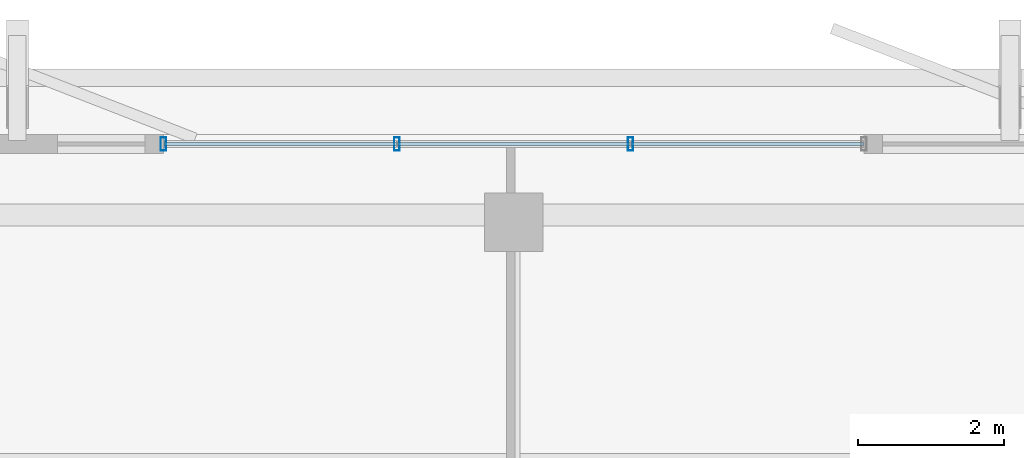
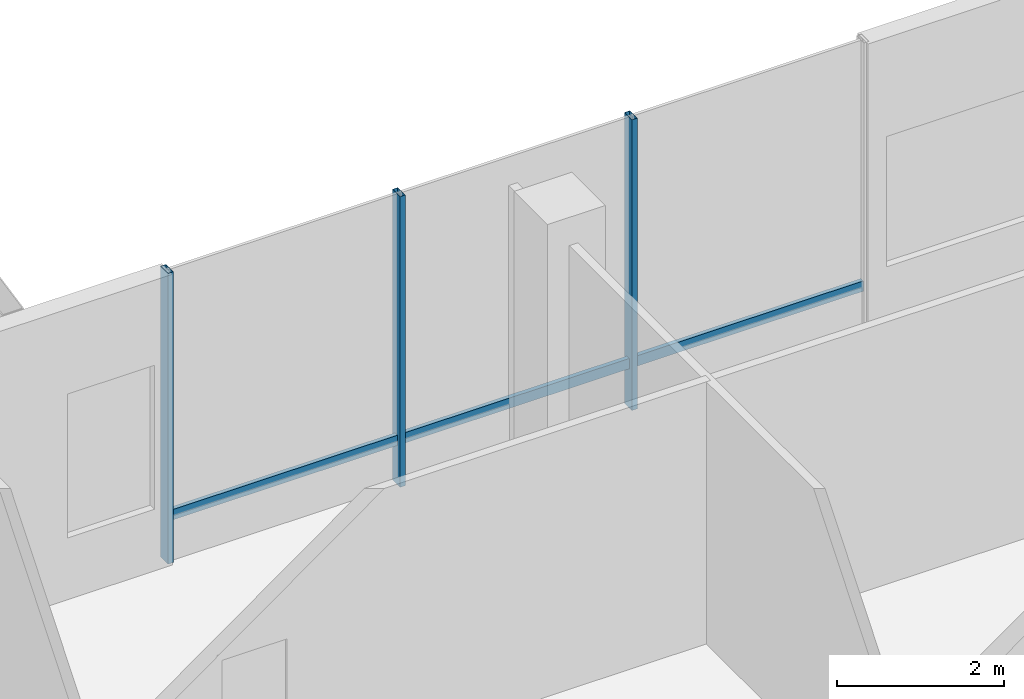
# One storey, part 10 of 17: 6 members, 1 element without a shape of its own.
"""IFC4 building model written with IfcOpenShell, lengths in metres."""

from ifc_helpers import new_model, si_unit, direction, frame, origin, origin_2d, place, context, subcontext, project, spatial, hollow_rectangle, extrude, material, layer, layer_set, material_profile, profile_set, type_object, element, aggregate, save


model = new_model("IFC4")

# Units and contexts
model_context = context("Model", 3, precision=1e-05, world=origin(), true_north=direction((0.0, 1.0)))
body_context = subcontext(model_context, "Body", "Model", "MODEL_VIEW")
ifc_project = project(units=[si_unit("LENGTHUNIT", "METRE"), si_unit("AREAUNIT", "SQUARE_METRE"), si_unit("VOLUMEUNIT", "CUBIC_METRE"), si_unit("PLANEANGLEUNIT", "RADIAN"), si_unit("MASSUNIT", "GRAM", prefix="KILO")], contexts=[model_context])

# Site, building, storey
site_placement = place(None, origin())
site = spatial("IfcSite", under=ifc_project, at=site_placement, CompositionType="ELEMENT")
building_placement = place(site_placement, origin())
building = spatial("IfcBuilding", under=site, at=building_placement, Name="Belovzor Exchange Tower", CompositionType="ELEMENT")
storey_placement = place(building_placement, frame((0.0, 0.0, 355.5)))
storey = spatial("IfcBuildingStorey", under=building, at=storey_placement, Name="L89", CompositionType="ELEMENT", Elevation=355.5)

# Curtain wall, members
ifc_material_1 = material(Name="Anodised Aluminium Framing", Category="aluminium")
ifc_layer = layer(ifc_material_1, 0.169921875)
ifc_layer_set = layer_set([ifc_layer], Name="Anodised Aluminium Framing")
curtain_wall_type = type_object("IfcCurtainWallType", Name="Stepped Crown Faceted Lantern Curtain Wall", PredefinedType="NOTDEFINED", material=ifc_layer_set)
curtain_wall_placement = place(storey_placement, origin())
curtain_wall = element("IfcCurtainWall", 1, at=curtain_wall_placement, inside=storey, type_object=curtain_wall_type, Name="CW6 Stepped Crown Faceted Lantern Curtain Wall L89", PredefinedType="NOTDEFINED")
ifc_material_2 = material(Name="Steel S355", Category="steel")
ifc_material_profile_1 = material_profile(ifc_material_2, hollow_rectangle(XDim=0.074951171875, YDim=0.179931640625, WallThickness=0.0048828125, at=origin_2d()))
ifc_profile_set_1 = profile_set([ifc_material_profile_1], Name="Steel S355")
member_type_1 = type_object("IfcMemberType", Name="Thermally Broken Curtain Wall Mullion 180x75", PredefinedType="MULLION", material=ifc_profile_set_1)
member_1_placement = place(storey_placement, frame((24.0, 49.070068359375, 0.0), z_axis=(0.0, 0.0, 1.0), x_axis=(1.0, 0.0, 0.0)))
member_1 = element("IfcMember", 2, at=member_1_placement, type_object=member_type_1, Name="CW-M180 Curtain Wall Mullion 1", PredefinedType="MULLION", context=body_context, shape_type="SweptSolid", body=[
    extrude(hollow_rectangle(XDim=0.074951171875, YDim=0.179931640625, WallThickness=0.0048828125, at=origin_2d()), origin(), (0.0, 0.0, 1.0), 4.239990234375),
])
member_2_placement = place(storey_placement, frame((27.199951171875, 49.070068359375, 0.0), z_axis=(0.0, 0.0, 1.0), x_axis=(1.0, 0.0, 0.0)))
member_2 = element("IfcMember", 3, at=member_2_placement, type_object=member_type_1, Name="CW-M180 Curtain Wall Mullion 2", PredefinedType="MULLION", context=body_context, shape_type="SweptSolid", body=[
    extrude(hollow_rectangle(XDim=0.074951171875, YDim=0.179931640625, WallThickness=0.0048828125, at=origin_2d()), origin(), (0.0, 0.0, 1.0), 4.239990234375),
])
member_3_placement = place(storey_placement, frame((30.39990234375, 49.070068359375, 0.0), z_axis=(0.0, 0.0, 1.0), x_axis=(1.0, 0.0, 0.0)))
member_3 = element("IfcMember", 4, at=member_3_placement, type_object=member_type_1, Name="CW-M180 Curtain Wall Mullion 3", PredefinedType="MULLION", context=body_context, shape_type="SweptSolid", body=[
    extrude(hollow_rectangle(XDim=0.074951171875, YDim=0.179931640625, WallThickness=0.0048828125, at=origin_2d()), origin(), (0.0, 0.0, 1.0), 4.239990234375),
])
ifc_material_3 = material(Name="Steel S355", Category="steel")
ifc_material_profile_2 = material_profile(ifc_material_3, hollow_rectangle(XDim=0.06005859375, YDim=0.14990234375, WallThickness=0.00390625, at=origin_2d()))
ifc_profile_set_2 = profile_set([ifc_material_profile_2], Name="Steel S355")
member_type_2 = type_object("IfcMemberType", Name="Thermally Broken Curtain Wall Transom 150x60", PredefinedType="USERDEFINED", material=ifc_profile_set_2)
member_4_placement = place(storey_placement, frame((24.008056640625, 49.070068359375, 0.64990234375), z_axis=(1.0, 0.0, 0.0), x_axis=(0.0, 1.0, 0.0)))
member_4 = element("IfcMember", 5, at=member_4_placement, type_object=member_type_2, Name="CW-T150 Curtain Wall Transom 1", ObjectType="TRANSOM", PredefinedType="USERDEFINED", context=body_context, shape_type="SweptSolid", body=[
    extrude(hollow_rectangle(XDim=0.06005859375, YDim=0.14990234375, WallThickness=0.00390625, at=origin_2d()), origin(), (0.0, 0.0, 1.0), 3.183837890625),
])
member_5_placement = place(storey_placement, frame((27.2080078125, 49.070068359375, 0.64990234375), z_axis=(1.0, 0.0, 0.0), x_axis=(0.0, 1.0, 0.0)))
member_5 = element("IfcMember", 6, at=member_5_placement, type_object=member_type_2, Name="CW-T150 Curtain Wall Transom 2", ObjectType="TRANSOM", PredefinedType="USERDEFINED", context=body_context, shape_type="SweptSolid", body=[
    extrude(hollow_rectangle(XDim=0.06005859375, YDim=0.14990234375, WallThickness=0.00390625, at=origin_2d()), origin(), (0.0, 0.0, 1.0), 3.18408203125),
])
member_6_placement = place(storey_placement, frame((30.407958984375, 49.070068359375, 0.64990234375), z_axis=(1.0, 0.0, 0.0), x_axis=(0.0, 1.0, 0.0)))
member_6 = element("IfcMember", 7, at=member_6_placement, type_object=member_type_2, Name="CW-T150 Curtain Wall Transom 3", ObjectType="TRANSOM", PredefinedType="USERDEFINED", context=body_context, shape_type="SweptSolid", body=[
    extrude(hollow_rectangle(XDim=0.06005859375, YDim=0.14990234375, WallThickness=0.00390625, at=origin_2d()), origin(), (0.0, 0.0, 1.0), 3.18408203125),
])
aggregate(curtain_wall, [member_1, member_2, member_3, member_4, member_5, member_6])

save(model, "model.ifc")
